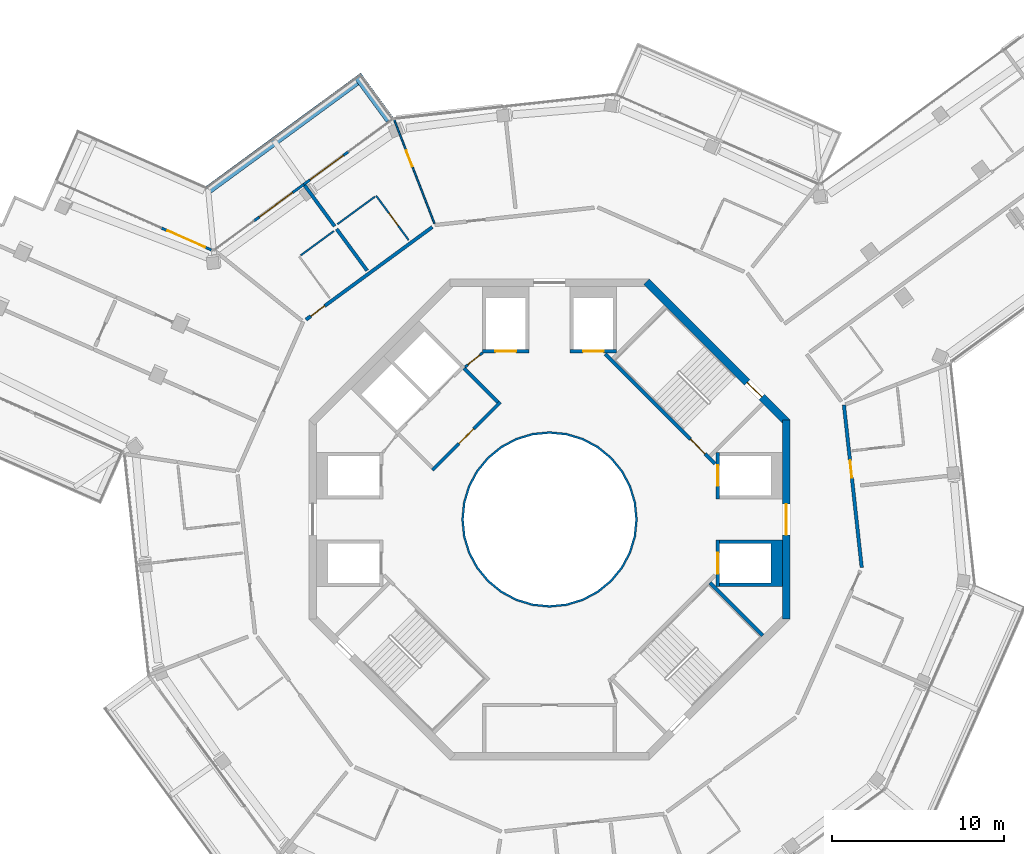
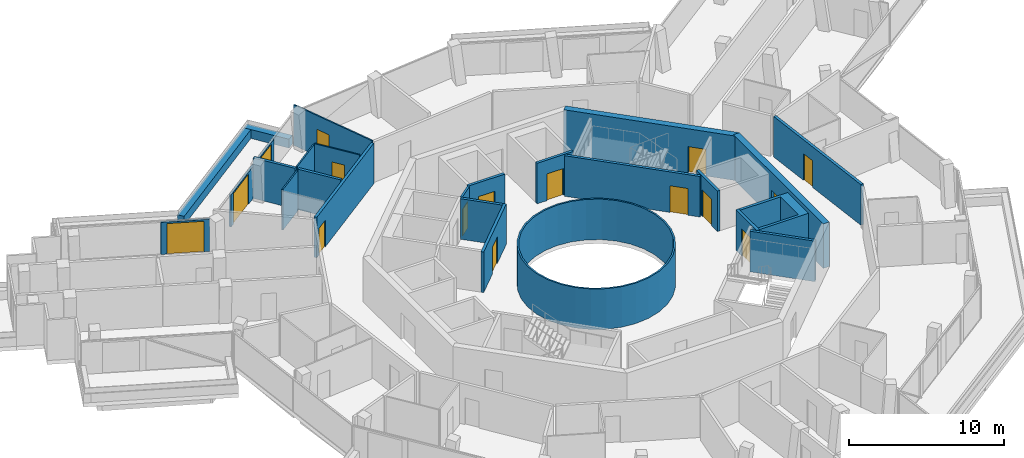
# One storey, part 19 of 24: 26 walls, 16 doors, 16 openings.
"""IFC4 building model written with IfcOpenShell, lengths in metres."""

from ifc_helpers import new_model, si_unit, direction, frame, frame_2d, origin, place, context, subcontext, project, spatial, polyline, rectangle, outline, extrude, material, layer, layer_set, type_object, element, fill, save


model = new_model("IFC4")

# Units and contexts
model_context = context("Model", 3, precision=1e-05, world=origin(), true_north=direction((0.0, 1.0)))
body_context = subcontext(model_context, "Body", "Model", "MODEL_VIEW")
ifc_project = project(units=[si_unit("LENGTHUNIT", "METRE"), si_unit("AREAUNIT", "SQUARE_METRE"), si_unit("VOLUMEUNIT", "CUBIC_METRE"), si_unit("PLANEANGLEUNIT", "RADIAN"), si_unit("MASSUNIT", "GRAM", prefix="KILO")], contexts=[model_context])

# Site, building, storey
site_placement = place(None, origin())
site = spatial("IfcSite", under=ifc_project, at=site_placement, CompositionType="ELEMENT")
building_placement = place(site_placement, origin())
building = spatial("IfcBuilding", under=site, at=building_placement, Name="Verdalira Terraces Hotel", CompositionType="ELEMENT")
storey_placement = place(building_placement, frame((0.0, 0.0, 303.0)))
storey = spatial("IfcBuildingStorey", under=building, at=storey_placement, Name="L75", CompositionType="ELEMENT", Elevation=303.0)

# Walls
ifc_material_1 = material(Name="Fire-resisting glass EI 180", Category="glass")
ifc_layer_1 = layer(ifc_material_1, 0.1201171875)
ifc_layer_set_1 = layer_set([ifc_layer_1], Name="Atrium fire screen 120 mm")
wall_type_1 = type_object("IfcWallType", Name="Atrium fire screen 120 mm", PredefinedType="SOLIDWALL", material=ifc_layer_set_1)
wall_1_placement = place(storey_placement, origin())
element("IfcWall", 1, at=wall_1_placement, inside=storey, type_object=wall_type_1, Name="Atrium fire screen", PredefinedType="SOLIDWALL", context=body_context, shape_type="SweptSolid", body=[
    extrude(outline(polyline([(5.021484, -0.998779), (4.730225, -1.959229), (4.25708, -2.844482), (3.620361, -3.620361), (2.844482, -4.25708), (1.959229, -4.730225), (0.998779, -5.021484), (0.0, -5.120117), (-0.998779, -5.021484), (-1.959229, -4.730225), (-2.844482, -4.25708), (-3.620361, -3.620361), (-4.25708, -2.844482), (-4.730225, -1.959229), (-5.021484, -0.998779), (-5.120117, 0.0), (-5.021484, 0.998779), (-4.730225, 1.959229), (-4.25708, 2.844482), (-3.620361, 3.620361), (-2.844482, 4.25708), (-1.959229, 4.730225), (-0.998779, 5.021484), (0.0, 5.120117), (0.998779, 5.021484), (1.959229, 4.730225), (2.844482, 4.25708), (3.620361, 3.620361), (4.25708, 2.844482), (4.730225, 1.959229), (5.021484, 0.998779), (5.120117, 0.0), (5.021484, -0.998779)]), holes=[polyline([(4.903809, 0.975586), (4.619385, 1.91333), (4.157227, 2.777832), (3.5354, 3.5354), (2.777832, 4.157227), (1.91333, 4.619385), (0.975586, 4.903809), (0.0, 5.0), (-0.975586, 4.903809), (-1.91333, 4.619385), (-2.777832, 4.157227), (-3.5354, 3.5354), (-4.157227, 2.777832), (-4.619385, 1.91333), (-4.903809, 0.975586), (-5.0, 0.0), (-4.903809, -0.975586), (-4.619385, -1.91333), (-4.157227, -2.777832), (-3.5354, -3.5354), (-2.777832, -4.157227), (-1.91333, -4.619385), (-0.975586, -4.903809), (0.0, -5.0), (0.975586, -4.903809), (1.91333, -4.619385), (2.777832, -4.157227), (3.5354, -3.5354), (4.157227, -2.777832), (4.619385, -1.91333), (4.903809, -0.975586), (5.0, 0.0), (4.903809, 0.975586)])]), origin(), (0.0, 0.0, 1.0), 3.189941),
])
ifc_material_2 = material(Name="Concrete C40", Category="concrete")
ifc_layer_2 = layer(ifc_material_2, 0.5)
ifc_layer_set_2 = layer_set([ifc_layer_2], Name="Balcony planter trough with tree")
wall_type_2 = type_object("IfcWallType", Name="Balcony planter trough with tree", PredefinedType="SOLIDWALL", material=ifc_layer_set_2)
wall_2_placement = place(storey_placement, frame((-9.300537, 23.26123, 0.0), z_axis=(0.0, 0.0, 1.0), x_axis=(-0.591171745, 0.806545701, 0.0)))
element("IfcWall", 2, at=wall_2_placement, inside=storey, type_object=wall_type_2, Name="Balcony planter", PredefinedType="SOLIDWALL", context=body_context, shape_type="SweptSolid", body=[
    extrude(rectangle(XDim=3.198975, YDim=0.5, at=frame_2d((1.599609, 0.0))), origin(), (0.0, 0.0, 1.0), 0.699951),
])
wall_3_placement = place(storey_placement, frame((-11.245361, 25.491943, 0.0), z_axis=(0.0, 0.0, 1.0), x_axis=(-0.806541226, -0.591177851, 0.0)))
element("IfcWall", 3, at=wall_3_placement, inside=storey, type_object=wall_type_2, Name="Balcony planter", PredefinedType="SOLIDWALL", context=body_context, shape_type="SweptSolid", body=[
    extrude(rectangle(XDim=10.652588, YDim=0.5, at=frame_2d((5.326172, 0.0))), origin(), (0.0, 0.0, 1.0), 0.699951),
])
ifc_material_3 = material(Name="Moisture-resistant gypsum board partition")
ifc_layer_3 = layer(ifc_material_3, 0.10009765625)
ifc_layer_set_3 = layer_set([ifc_layer_3], Name="Bathroom partition 100 mm")
wall_type_3 = type_object("IfcWallType", Name="Bathroom partition 100 mm", PredefinedType="PARTITIONING", material=ifc_layer_set_3)
wall_4_placement = place(storey_placement, frame((-14.486816, 15.366943, 0.0), z_axis=(0.0, 0.0, 1.0), x_axis=(0.806544049, 0.591173999, 0.0)))
element("IfcWall", 4, at=wall_4_placement, inside=storey, type_object=wall_type_3, Name="Bathroom partition", PredefinedType="PARTITIONING", context=body_context, shape_type="SweptSolid", body=[
    extrude(rectangle(XDim=2.399902, YDim=0.100098, at=frame_2d((1.199951, 0.0))), origin(), (0.0, 0.0, 1.0), 3.189941),
])
wall_5_placement = place(storey_placement, frame((-10.169189, 18.779541, 0.0), z_axis=(0.0, 0.0, 1.0), x_axis=(-0.8065171, -0.591210764, 0.0)))
element("IfcWall", 5, at=wall_5_placement, inside=storey, type_object=wall_type_3, Name="Bathroom partition", PredefinedType="PARTITIONING", context=body_context, shape_type="SweptSolid", body=[
    extrude(rectangle(XDim=2.699951, YDim=0.100098, at=frame_2d((1.350098, 0.0))), origin(), (0.0, 0.0, 1.0), 3.189941),
])

# Wall, opening, door
wall_6_placement = place(storey_placement, frame((-8.196777, 16.257812, 0.0), z_axis=(0.0, 0.0, 1.0), x_axis=(-0.591161873, 0.806552937, 0.0)))
wall_6 = element("IfcWall", 6, at=wall_6_placement, inside=storey, type_object=wall_type_3, Name="Bathroom partition", PredefinedType="PARTITIONING", context=body_context, shape_type="SweptSolid", body=[
    extrude(rectangle(XDim=3.199707, YDim=0.100098, at=frame_2d((1.599854, 0.0))), origin(), (0.0, 0.0, 1.0), 3.189941),
])
opening_1_placement = place(wall_6_placement, frame((1.050049, 0.0, 0.0)))
opening_1 = element("IfcOpeningElement", 7, at=opening_1_placement, cuts=wall_6, Name="Opening L75-131", PredefinedType="OPENING", context=body_context, shape_type="SweptSolid", body=[
    extrude(rectangle(XDim=0.899902, YDim=2.100098, at=frame_2d((0.449951, 1.050049))), frame((0.0, 0.060059, 0.0), z_axis=(0.0, -1.0, 0.0), x_axis=(1.0, 0.0, 0.0)), (0.0, 0.0, 1.0), 0.120117),
])
ifc_material_4 = material(Name="Timber door", Category="wood")
door_type_1 = type_object("IfcDoorType", Name="Bathroom door 900 x 2100", OperationType="NOTDEFINED", PredefinedType="DOOR", material=ifc_material_4)
door_1_placement = place(opening_1_placement, origin())
door_1 = element("IfcDoor", 8, at=door_1_placement, inside=storey, type_object=door_type_1, Name="Bathroom door 7512", OperationType="SINGLE_SWING_RIGHT", OverallHeight=2.10009765625, OverallWidth=0.89990234375, PredefinedType="DOOR", context=body_context, shape_type="SweptSolid", body=[
    extrude(rectangle(XDim=0.899902, YDim=2.100098, at=frame_2d((0.449951, 1.050049))), frame((0.0, 0.024902, 0.0), z_axis=(0.0, -1.0, 0.0), x_axis=(1.0, 0.0, 0.0)), (0.0, 0.0, 1.0), 0.050049),
])
fill(opening_1, door_1)

wall_7_placement = place(storey_placement, frame((-6.697998, 17.232422, 0.0), z_axis=(0.0, 0.0, 1.0), x_axis=(-0.36226614, 0.932074699, 0.0)))
wall_7 = element("IfcWall", 9, at=wall_7_placement, inside=storey, type_object=wall_type_3, Name="Bathroom partition", PredefinedType="PARTITIONING", context=body_context, shape_type="SweptSolid", body=[
    extrude(rectangle(XDim=6.47583, YDim=0.100098, at=frame_2d((3.237793, 0.0))), origin(), (0.0, 0.0, 1.0), 3.189941),
])
opening_2_placement = place(wall_7_placement, frame((3.550049, 0.0, 0.0)))
opening_2 = element("IfcOpeningElement", 10, at=opening_2_placement, cuts=wall_7, Name="Opening L75-130", PredefinedType="OPENING", context=body_context, shape_type="SweptSolid", body=[
    extrude(rectangle(XDim=1.0, YDim=2.100098, at=frame_2d((0.5, 1.050049))), frame((0.0, 0.060059, 0.0), z_axis=(0.0, -1.0, 0.0), x_axis=(1.0, 0.0, 0.0)), (0.0, 0.0, 1.0), 0.120117),
])
ifc_material_5 = material(Name="Timber door", Category="wood")
door_type_2 = type_object("IfcDoorType", Name="Suite internal door 1000 x 2100", OperationType="NOTDEFINED", PredefinedType="DOOR", material=ifc_material_5)
door_2_placement = place(opening_2_placement, origin())
door_2 = element("IfcDoor", 11, at=door_2_placement, inside=storey, type_object=door_type_2, Name="Suite internal door 7512", OperationType="SINGLE_SWING_LEFT", OverallHeight=2.10009765625, OverallWidth=1.0, PredefinedType="DOOR", context=body_context, shape_type="SweptSolid", body=[
    extrude(rectangle(XDim=1.0, YDim=2.100098, at=frame_2d((0.5, 1.050049))), frame((0.0, 0.024902, 0.0), z_axis=(0.0, -1.0, 0.0), x_axis=(1.0, 0.0, 0.0)), (0.0, 0.0, 1.0), 0.050049),
])
fill(opening_2, door_2)

# Wall
ifc_material_6 = material(Name="Concrete C50", Category="concrete")
ifc_layer_4 = layer(ifc_material_6, 0.199951171875)
ifc_layer_set_4 = layer_set([ifc_layer_4], Name="Core RC wall 200 C50")
wall_type_4 = type_object("IfcWallType", Name="Core RC wall 200 C50", PredefinedType="SOLIDWALL", material=ifc_layer_set_4)
wall_8_placement = place(storey_placement, origin())
element("IfcWall", 12, at=wall_8_placement, inside=storey, type_object=wall_type_4, Name="L75 shaft wall E1", PredefinedType="SOLIDWALL", context=body_context, shape_type="SweptSolid", body=[
    extrude(outline(polyline([(13.550049, -3.899902), (9.899902, -3.899902), (9.899902, -3.699951), (12.899902, -3.699951), (12.899902, -1.399902), (9.899902, -1.399902), (9.899902, -1.199951), (13.550049, -1.199951), (13.550049, -3.899902)])), origin(), (0.0, 0.0, 1.0), 3.189941),
])

# Wall, opening, door
wall_9_placement = place(storey_placement, frame((9.800049, -1.199951, 0.0), z_axis=(0.0, 0.0, 1.0), x_axis=(0.0, -1.0, 0.0)))
wall_9 = element("IfcWall", 13, at=wall_9_placement, inside=storey, type_object=wall_type_4, Name="L75 shaft front wall E1", PredefinedType="SOLIDWALL", context=body_context, shape_type="SweptSolid", body=[
    extrude(rectangle(XDim=2.699951, YDim=0.199951, at=frame_2d((1.350098, 0.0))), origin(), (0.0, 0.0, 1.0), 3.189941),
])
opening_3_placement = place(wall_9_placement, frame((0.75, 0.0, 0.0)))
opening_3 = element("IfcOpeningElement", 14, at=opening_3_placement, cuts=wall_9, Name="Opening LD-L75-802", PredefinedType="OPENING", context=body_context, shape_type="SweptSolid", body=[
    extrude(rectangle(XDim=1.199951, YDim=2.100098, at=frame_2d((0.600098, 1.050049))), frame((0.0, 0.109863, 0.0), z_axis=(0.0, -1.0, 0.0), x_axis=(1.0, 0.0, 0.0)), (0.0, 0.0, 1.0), 0.219971),
])
ifc_material_7 = material(Name="Stainless steel", Category="steel")
door_type_3 = type_object("IfcDoorType", Name="Landing door 1200 x 2100", OperationType="NOTDEFINED", PredefinedType="DOOR", material=ifc_material_7)
door_3_placement = place(opening_3_placement, origin())
door_3 = element("IfcDoor", 15, at=door_3_placement, inside=storey, type_object=door_type_3, Name="Lift landing door HR1 L75", OperationType="DOUBLE_DOOR_SLIDING", OverallHeight=2.10009765625, OverallWidth=1.199951171875, PredefinedType="DOOR", context=body_context, shape_type="SweptSolid", body=[
    extrude(rectangle(XDim=1.199951, YDim=2.100098, at=frame_2d((0.600098, 1.050049))), frame((0.0, 0.024902, 0.0), z_axis=(0.0, -1.0, 0.0), x_axis=(1.0, 0.0, 0.0)), (0.0, 0.0, 1.0), 0.050049),
])
fill(opening_3, door_3)

wall_10_placement = place(storey_placement, frame((9.800049, 1.199951, 0.0), z_axis=(0.0, 0.0, 1.0), x_axis=(0.0, 1.0, 0.0)))
wall_10 = element("IfcWall", 16, at=wall_10_placement, inside=storey, type_object=wall_type_4, Name="L75 shaft front wall E2", PredefinedType="SOLIDWALL", context=body_context, shape_type="SweptSolid", body=[
    extrude(rectangle(XDim=2.699951, YDim=0.199951, at=frame_2d((1.350098, 0.0))), origin(), (0.0, 0.0, 1.0), 3.189941),
])
opening_4_placement = place(wall_10_placement, frame((0.75, 0.0, 0.0)))
opening_4 = element("IfcOpeningElement", 17, at=opening_4_placement, cuts=wall_10, Name="Opening LD-L75-803", PredefinedType="OPENING", context=body_context, shape_type="SweptSolid", body=[
    extrude(rectangle(XDim=1.199951, YDim=2.100098, at=frame_2d((0.600098, 1.050049))), frame((0.0, 0.109863, 0.0), z_axis=(0.0, -1.0, 0.0), x_axis=(1.0, 0.0, 0.0)), (0.0, 0.0, 1.0), 0.219971),
])
door_4_placement = place(opening_4_placement, origin())
door_4 = element("IfcDoor", 18, at=door_4_placement, inside=storey, type_object=door_type_3, Name="Lift landing door HR2 L75", OperationType="DOUBLE_DOOR_SLIDING", OverallHeight=2.10009765625, OverallWidth=1.199951171875, PredefinedType="DOOR", context=body_context, shape_type="SweptSolid", body=[
    extrude(rectangle(XDim=1.199951, YDim=2.100098, at=frame_2d((0.600098, 1.050049))), frame((0.0, 0.024902, 0.0), z_axis=(0.0, -1.0, 0.0), x_axis=(1.0, 0.0, 0.0)), (0.0, 0.0, 1.0), 0.050049),
])
fill(opening_4, door_4)

wall_11_placement = place(storey_placement, frame((1.199951, 9.800049, 0.0), z_axis=(0.0, 0.0, 1.0), x_axis=(1.0, 0.0, 0.0)))
wall_11 = element("IfcWall", 19, at=wall_11_placement, inside=storey, type_object=wall_type_4, Name="L75 shaft front wall N1", PredefinedType="SOLIDWALL", context=body_context, shape_type="SweptSolid", body=[
    extrude(rectangle(XDim=2.699951, YDim=0.199951, at=frame_2d((1.350098, 0.0))), origin(), (0.0, 0.0, 1.0), 3.189941),
])
opening_5_placement = place(wall_11_placement, frame((0.75, 0.0, 0.0)))
opening_5 = element("IfcOpeningElement", 20, at=opening_5_placement, cuts=wall_11, Name="Opening LD-L75-804", PredefinedType="OPENING", context=body_context, shape_type="SweptSolid", body=[
    extrude(rectangle(XDim=1.199951, YDim=2.100098, at=frame_2d((0.600098, 1.050049))), frame((0.0, 0.109863, 0.0), z_axis=(0.0, -1.0, 0.0), x_axis=(1.0, 0.0, 0.0)), (0.0, 0.0, 1.0), 0.219971),
])
door_5_placement = place(opening_5_placement, origin())
door_5 = element("IfcDoor", 21, at=door_5_placement, inside=storey, type_object=door_type_3, Name="Lift landing door HR3 L75", OperationType="DOUBLE_DOOR_SLIDING", OverallHeight=2.10009765625, OverallWidth=1.199951171875, PredefinedType="DOOR", context=body_context, shape_type="SweptSolid", body=[
    extrude(rectangle(XDim=1.199951, YDim=2.100098, at=frame_2d((0.600098, 1.050049))), frame((0.0, 0.024902, 0.0), z_axis=(0.0, -1.0, 0.0), x_axis=(1.0, 0.0, 0.0)), (0.0, 0.0, 1.0), 0.050049),
])
fill(opening_5, door_5)

wall_12_placement = place(storey_placement, frame((-1.199951, 9.800049, 0.0), z_axis=(0.0, 0.0, 1.0), x_axis=(-1.0, 0.0, 0.0)))
wall_12 = element("IfcWall", 22, at=wall_12_placement, inside=storey, type_object=wall_type_4, Name="L75 shaft front wall N2", PredefinedType="SOLIDWALL", context=body_context, shape_type="SweptSolid", body=[
    extrude(rectangle(XDim=2.699951, YDim=0.199951, at=frame_2d((1.350098, 0.0))), origin(), (0.0, 0.0, 1.0), 3.189941),
])
opening_6_placement = place(wall_12_placement, frame((0.75, 0.0, 0.0)))
opening_6 = element("IfcOpeningElement", 23, at=opening_6_placement, cuts=wall_12, Name="Opening LD-L75-805", PredefinedType="OPENING", context=body_context, shape_type="SweptSolid", body=[
    extrude(rectangle(XDim=1.199951, YDim=2.100098, at=frame_2d((0.600098, 1.050049))), frame((0.0, 0.109863, 0.0), z_axis=(0.0, -1.0, 0.0), x_axis=(1.0, 0.0, 0.0)), (0.0, 0.0, 1.0), 0.219971),
])
door_6_placement = place(opening_6_placement, origin())
door_6 = element("IfcDoor", 24, at=door_6_placement, inside=storey, type_object=door_type_3, Name="Lift landing door HR4 L75", OperationType="DOUBLE_DOOR_SLIDING", OverallHeight=2.10009765625, OverallWidth=1.199951171875, PredefinedType="DOOR", context=body_context, shape_type="SweptSolid", body=[
    extrude(rectangle(XDim=1.199951, YDim=2.100098, at=frame_2d((0.600098, 1.050049))), frame((0.0, 0.024902, 0.0), z_axis=(0.0, -1.0, 0.0), x_axis=(1.0, 0.0, 0.0)), (0.0, 0.0, 1.0), 0.050049),
])
fill(opening_6, door_6)

wall_13_placement = place(storey_placement, frame((3.23999, 9.629395, 0.0), z_axis=(0.0, 0.0, 1.0), x_axis=(0.707106781, -0.707106781, 0.0)))
wall_13 = element("IfcWall", 25, at=wall_13_placement, inside=storey, type_object=wall_type_4, Name="L75 stair ST1 front wall", PredefinedType="SOLIDWALL", context=body_context, shape_type="SweptSolid", body=[
    extrude(rectangle(XDim=9.035889, YDim=0.199951, at=frame_2d((4.518066, 0.0))), origin(), (0.0, 0.0, 1.0), 3.189941),
])
opening_7_placement = place(wall_13_placement, frame((7.017822, 0.0, 0.0)))
opening_7 = element("IfcOpeningElement", 26, at=opening_7_placement, cuts=wall_13, Name="Opening L75-810", PredefinedType="OPENING", context=body_context, shape_type="SweptSolid", body=[
    extrude(rectangle(XDim=1.199951, YDim=2.100098, at=frame_2d((0.600098, 1.050049))), frame((0.0, 0.109863, 0.0), z_axis=(0.0, -1.0, 0.0), x_axis=(1.0, 0.0, 0.0)), (0.0, 0.0, 1.0), 0.219971),
])
ifc_material_8 = material(Name="Steel fire door", Category="steel")
door_type_4 = type_object("IfcDoorType", Name="Stair door 1200 x 2100", OperationType="NOTDEFINED", PredefinedType="DOOR", material=ifc_material_8)
door_7_placement = place(opening_7_placement, origin())
door_7 = element("IfcDoor", 27, at=door_7_placement, inside=storey, type_object=door_type_4, Name="Stair door ST1 L75", OperationType="SINGLE_SWING_RIGHT", OverallHeight=2.10009765625, OverallWidth=1.199951171875, PredefinedType="DOOR", context=body_context, shape_type="SweptSolid", body=[
    extrude(rectangle(XDim=1.199951, YDim=2.100098, at=frame_2d((0.600098, 1.050049))), frame((0.0, 0.024902, 0.0), z_axis=(0.0, -1.0, 0.0), x_axis=(1.0, 0.0, 0.0)), (0.0, 0.0, 1.0), 0.050049),
])
fill(opening_7, door_7)

# Wall
wall_14_placement = place(storey_placement, frame((9.33374, -3.677002, 0.0), z_axis=(0.0, 0.0, 1.0), x_axis=(0.707106781, -0.707106781, 0.0)))
element("IfcWall", 28, at=wall_14_placement, inside=storey, type_object=wall_type_4, Name="L75 stair ST3 end wall 2", PredefinedType="SOLIDWALL", context=body_context, shape_type="SweptSolid", body=[
    extrude(rectangle(XDim=4.350098, YDim=0.199951, at=frame_2d((2.175049, 0.0))), origin(), (0.0, 0.0, 1.0), 3.189941),
])

# Wall, opening, door
wall_15_placement = place(storey_placement, frame((-2.86377, 6.823486, 0.0), z_axis=(0.0, 0.0, 1.0), x_axis=(-0.707106781, -0.707106781, 0.0)))
wall_15 = element("IfcWall", 29, at=wall_15_placement, inside=storey, type_object=wall_type_4, Name="L75 fire lobby wall", PredefinedType="SOLIDWALL", context=body_context, shape_type="SweptSolid", body=[
    extrude(rectangle(XDim=5.599854, YDim=0.199951, at=frame_2d((2.799805, 0.0))), origin(), (0.0, 0.0, 1.0), 3.189941),
])
opening_8_placement = place(wall_15_placement, frame((2.199951, 0.0, 0.0)))
opening_8 = element("IfcOpeningElement", 30, at=opening_8_placement, cuts=wall_15, Name="Opening L75-819", PredefinedType="OPENING", context=body_context, shape_type="SweptSolid", body=[
    extrude(rectangle(XDim=1.199951, YDim=2.100098, at=frame_2d((0.600098, 1.050049))), frame((0.0, 0.109863, 0.0), z_axis=(0.0, -1.0, 0.0), x_axis=(1.0, 0.0, 0.0)), (0.0, 0.0, 1.0), 0.219971),
])
ifc_material_9 = material(Name="Steel fire door", Category="steel")
door_type_5 = type_object("IfcDoorType", Name="Lobby door 1200 x 2100", OperationType="NOTDEFINED", PredefinedType="DOOR", material=ifc_material_9)
door_8_placement = place(opening_8_placement, origin())
door_8 = element("IfcDoor", 31, at=door_8_placement, inside=storey, type_object=door_type_5, Name="Fire lobby door L75", OperationType="SINGLE_SWING_LEFT", OverallHeight=2.10009765625, OverallWidth=1.199951171875, PredefinedType="DOOR", context=body_context, shape_type="SweptSolid", body=[
    extrude(rectangle(XDim=1.199951, YDim=2.100098, at=frame_2d((0.600098, 1.050049))), frame((0.0, 0.024902, 0.0), z_axis=(0.0, -1.0, 0.0), x_axis=(1.0, 0.0, 0.0)), (0.0, 0.0, 1.0), 0.050049),
])
fill(opening_8, door_8)

# Wall
wall_16_placement = place(storey_placement, frame((-3.005127, 6.823486, 0.0), z_axis=(0.0, 0.0, 1.0), x_axis=(-0.707106781, 0.707106781, 0.0)))
element("IfcWall", 32, at=wall_16_placement, inside=storey, type_object=wall_type_4, Name="L75 fire lobby wall", PredefinedType="SOLIDWALL", context=body_context, shape_type="SweptSolid", body=[
    extrude(rectangle(XDim=2.800049, YDim=0.199951, at=frame_2d((1.399902, 0.0))), origin(), (0.0, 0.0, 1.0), 3.189941),
])

# Wall, opening, door
ifc_material_10 = material(Name="Gypsum board partition")
ifc_layer_5 = layer(ifc_material_10, 0.14990234375)
ifc_layer_set_5 = layer_set([ifc_layer_5], Name="Core partition 150 mm")
wall_type_5 = type_object("IfcWallType", Name="Core partition 150 mm", PredefinedType="PARTITIONING", material=ifc_layer_set_5)
wall_17_placement = place(storey_placement, frame((-3.899902, 9.699951, 0.0), z_axis=(0.0, 0.0, 1.0), x_axis=(-0.775559878, -0.631274009, 0.0)))
wall_17 = element("IfcWall", 33, at=wall_17_placement, inside=storey, type_object=wall_type_5, Name="Room partition L75", PredefinedType="PARTITIONING", context=body_context, shape_type="SweptSolid", body=[
    extrude(rectangle(XDim=1.307861, YDim=0.149902, at=frame_2d((0.653809, 0.0))), origin(), (0.0, 0.0, 1.0), 3.189941),
])
opening_9_placement = place(wall_17_placement, frame((0.204102, 0.0, 0.0)))
opening_9 = element("IfcOpeningElement", 34, at=opening_9_placement, cuts=wall_17, Name="Opening L75-820", PredefinedType="OPENING", context=body_context, shape_type="SweptSolid", body=[
    extrude(rectangle(XDim=0.899902, YDim=2.100098, at=frame_2d((0.449951, 1.050049))), frame((0.0, 0.084961, 0.0), z_axis=(0.0, -1.0, 0.0), x_axis=(1.0, 0.0, 0.0)), (0.0, 0.0, 1.0), 0.169922),
])
ifc_material_11 = material(Name="Steel fire door", Category="steel")
door_type_6 = type_object("IfcDoorType", Name="Core room door 900 x 2100", OperationType="NOTDEFINED", PredefinedType="DOOR", material=ifc_material_11)
door_9_placement = place(opening_9_placement, origin())
door_9 = element("IfcDoor", 35, at=door_9_placement, inside=storey, type_object=door_type_6, Name="Door L75 room2", OperationType="SINGLE_SWING_LEFT", OverallHeight=2.10009765625, OverallWidth=0.89990234375, PredefinedType="DOOR", context=body_context, shape_type="SweptSolid", body=[
    extrude(rectangle(XDim=0.899902, YDim=2.100098, at=frame_2d((0.449951, 1.050049))), frame((0.0, 0.024902, 0.0), z_axis=(0.0, -1.0, 0.0), x_axis=(1.0, 0.0, 0.0)), (0.0, 0.0, 1.0), 0.050049),
])
fill(opening_9, door_9)

ifc_material_12 = material(Name="Concrete C50", Category="concrete")
ifc_layer_6 = layer(ifc_material_12, 0.449951171875)
ifc_layer_set_6 = layer_set([ifc_layer_6], Name="Core wall 450 C50")
wall_type_6 = type_object("IfcWallType", Name="Core wall 450 C50", PredefinedType="SHEAR", material=ifc_layer_set_6)
wall_18_placement = place(storey_placement, frame((13.774902, -5.799072, 0.0), z_axis=(0.0, 0.0, 1.0), x_axis=(0.0, 1.0, 0.0)))
wall_18 = element("IfcWall", 36, at=wall_18_placement, inside=storey, type_object=wall_type_6, Name="Core wall CW-L75-1", PredefinedType="SHEAR", context=body_context, shape_type="SweptSolid", body=[
    extrude(rectangle(XDim=11.598145, YDim=0.449951, at=frame_2d((5.799072, 0.0))), origin(), (0.0, 0.0, 1.0), 3.5),
])
opening_10_placement = place(wall_18_placement, frame((4.898926, 0.0, 0.0)))
opening_10 = element("IfcOpeningElement", 37, at=opening_10_placement, cuts=wall_18, Name="Opening L75-813", PredefinedType="OPENING", context=body_context, shape_type="SweptSolid", body=[
    extrude(rectangle(XDim=1.800049, YDim=2.100098, at=frame_2d((0.899902, 1.050049))), frame((0.0, 0.234863, 0.0), z_axis=(0.0, -1.0, 0.0), x_axis=(1.0, 0.0, 0.0)), (0.0, 0.0, 1.0), 0.469971),
])
ifc_material_13 = material(Name="Steel fire door", Category="steel")
door_type_7 = type_object("IfcDoorType", Name="Core entry door pair 1800 x 2100", OperationType="NOTDEFINED", PredefinedType="DOOR", material=ifc_material_13)
door_10_placement = place(opening_10_placement, origin())
door_10 = element("IfcDoor", 38, at=door_10_placement, inside=storey, type_object=door_type_7, Name="Core entry door L75 0", OperationType="DOUBLE_DOOR_SINGLE_SWING", OverallHeight=2.10009765625, OverallWidth=1.800048828125, PredefinedType="DOOR", context=body_context, shape_type="SweptSolid", body=[
    extrude(rectangle(XDim=1.800049, YDim=2.100098, at=frame_2d((0.899902, 1.050049))), frame((0.0, 0.024902, 0.0), z_axis=(0.0, -1.0, 0.0), x_axis=(1.0, 0.0, 0.0)), (0.0, 0.0, 1.0), 0.050049),
])
fill(opening_10, door_10)

wall_19_placement = place(storey_placement, frame((13.84082, 5.639893, 0.0), z_axis=(0.0, 0.0, 1.0), x_axis=(-0.707106781, 0.707106781, 0.0)))
wall_19 = element("IfcWall", 39, at=wall_19_placement, inside=storey, type_object=wall_type_6, Name="Core wall CW-L75-2", PredefinedType="SHEAR", context=body_context, shape_type="SweptSolid", body=[
    extrude(rectangle(XDim=11.5979, YDim=0.449951, at=frame_2d((5.798828, 0.0))), origin(), (0.0, 0.0, 1.0), 3.5),
])
opening_11_placement = place(wall_19_placement, frame((2.099121, 0.0, 0.0)))
opening_11 = element("IfcOpeningElement", 40, at=opening_11_placement, cuts=wall_19, Name="Opening L75-816", PredefinedType="OPENING", context=body_context, shape_type="SweptSolid", body=[
    extrude(rectangle(XDim=1.199951, YDim=2.100098, at=frame_2d((0.600098, 1.050049))), frame((0.0, 0.234863, 0.0), z_axis=(0.0, -1.0, 0.0), x_axis=(1.0, 0.0, 0.0)), (0.0, 0.0, 1.0), 0.469971),
])
door_11_placement = place(opening_11_placement, origin())
door_11 = element("IfcDoor", 41, at=door_11_placement, inside=storey, type_object=door_type_4, Name="Stair exit door ST1 L75", OperationType="SINGLE_SWING_LEFT", OverallHeight=2.10009765625, OverallWidth=1.199951171875, PredefinedType="DOOR", context=body_context, shape_type="SweptSolid", body=[
    extrude(rectangle(XDim=1.199951, YDim=2.100098, at=frame_2d((0.600098, 1.050049))), frame((0.0, 0.024902, 0.0), z_axis=(0.0, -1.0, 0.0), x_axis=(1.0, 0.0, 0.0)), (0.0, 0.0, 1.0), 0.050049),
])
fill(opening_11, door_11)

# Walls
ifc_material_14 = material(Name="Fire-rated gypsum board wall")
ifc_layer_7 = layer(ifc_material_14, 0.199951171875)
ifc_layer_set_7 = layer_set([ifc_layer_7], Name="Demising wall 200 mm")
wall_type_7 = type_object("IfcWallType", Name="Demising wall 200 mm", PredefinedType="SOLIDWALL", material=ifc_layer_set_7)
wall_20_placement = place(storey_placement, frame((-12.508057, 17.065186, 0.0), z_axis=(0.0, 0.0, 1.0), x_axis=(-0.59119862, 0.806526002, 0.0)))
element("IfcWall", 42, at=wall_20_placement, inside=storey, type_object=wall_type_7, Name="Demising wall", PredefinedType="SOLIDWALL", context=body_context, shape_type="SweptSolid", body=[
    extrude(rectangle(XDim=2.950195, YDim=0.199951, at=frame_2d((1.475098, 0.0))), origin(), (0.0, 0.0, 1.0), 3.189941),
])
wall_21_placement = place(storey_placement, frame((-10.616455, 14.484375, 0.0), z_axis=(0.0, 0.0, 1.0), x_axis=(-0.591180306, 0.806539426, 0.0)))
element("IfcWall", 43, at=wall_21_placement, inside=storey, type_object=wall_type_7, Name="Demising wall", PredefinedType="SOLIDWALL", context=body_context, shape_type="SweptSolid", body=[
    extrude(rectangle(XDim=3.001953, YDim=0.199951, at=frame_2d((1.500977, 0.0))), origin(), (0.0, 0.0, 1.0), 3.189941),
])

# Wall, opening, door
ifc_material_15 = material(Name="Fire-rated gypsum board wall")
ifc_layer_8 = layer(ifc_material_15, 0.199951171875)
ifc_layer_set_8 = layer_set([ifc_layer_8], Name="Guest corridor wall 200 mm")
wall_type_8 = type_object("IfcWallType", Name="Guest corridor wall 200 mm", PredefinedType="SOLIDWALL", material=ifc_layer_set_8)
wall_22_placement = place(storey_placement, frame((-14.174805, 11.628174, 0.0), z_axis=(0.0, 0.0, 1.0), x_axis=(0.806552259, 0.591162797, 0.0)))
wall_22 = element("IfcWall", 44, at=wall_22_placement, inside=storey, type_object=wall_type_8, Name="Guest corridor wall", PredefinedType="SOLIDWALL", context=body_context, shape_type="SweptSolid", body=[
    extrude(rectangle(XDim=9.116699, YDim=0.199951, at=frame_2d((4.55835, 0.0))), origin(), (0.0, 0.0, 1.0), 3.189941),
])
opening_12_placement = place(wall_22_placement, frame((0.350098, 0.0, 0.0)))
opening_12 = element("IfcOpeningElement", 45, at=opening_12_placement, cuts=wall_22, Name="Opening L75-132", PredefinedType="OPENING", context=body_context, shape_type="SweptSolid", body=[
    extrude(rectangle(XDim=1.0, YDim=2.100098, at=frame_2d((0.5, 1.050049))), frame((0.0, 0.109863, 0.0), z_axis=(0.0, -1.0, 0.0), x_axis=(1.0, 0.0, 0.0)), (0.0, 0.0, 1.0), 0.219971),
])
ifc_material_16 = material(Name="Timber fire door", Category="wood")
door_type_8 = type_object("IfcDoorType", Name="Guest entry door 1000 x 2100", OperationType="NOTDEFINED", PredefinedType="DOOR", material=ifc_material_16)
door_12_placement = place(opening_12_placement, origin())
door_12 = element("IfcDoor", 46, at=door_12_placement, inside=storey, type_object=door_type_8, Name="Guest entry door 7513", OperationType="SINGLE_SWING_LEFT", OverallHeight=2.10009765625, OverallWidth=1.0, PredefinedType="DOOR", context=body_context, shape_type="SweptSolid", body=[
    extrude(rectangle(XDim=1.0, YDim=2.100098, at=frame_2d((0.5, 1.050049))), frame((0.0, 0.024902, 0.0), z_axis=(0.0, -1.0, 0.0), x_axis=(1.0, 0.0, 0.0)), (0.0, 0.0, 1.0), 0.050049),
])
fill(opening_12, door_12)

wall_23_placement = place(storey_placement, frame((17.135986, 6.6604, 0.0), z_axis=(0.0, 0.0, 1.0), x_axis=(0.108702427, -0.994074334, 0.0)))
wall_23 = element("IfcWall", 47, at=wall_23_placement, inside=storey, type_object=wall_type_8, Name="Guest corridor wall", PredefinedType="SOLIDWALL", context=body_context, shape_type="SweptSolid", body=[
    extrude(rectangle(XDim=9.516113, YDim=0.199951, at=frame_2d((4.758057, 0.0))), origin(), (0.0, 0.0, 1.0), 3.189941),
])
opening_13_placement = place(wall_23_placement, frame((3.25, 0.0, 0.0)))
opening_13 = element("IfcOpeningElement", 48, at=opening_13_placement, cuts=wall_23, Name="Opening L75-120", PredefinedType="OPENING", context=body_context, shape_type="SweptSolid", body=[
    extrude(rectangle(XDim=1.0, YDim=2.100098, at=frame_2d((0.5, 1.050049))), frame((0.0, 0.109863, 0.0), z_axis=(0.0, -1.0, 0.0), x_axis=(1.0, 0.0, 0.0)), (0.0, 0.0, 1.0), 0.219971),
])
door_13_placement = place(opening_13_placement, origin())
door_13 = element("IfcDoor", 49, at=door_13_placement, inside=storey, type_object=door_type_8, Name="Guest entry door 7508", OperationType="SINGLE_SWING_RIGHT", OverallHeight=2.10009765625, OverallWidth=1.0, PredefinedType="DOOR", context=body_context, shape_type="SweptSolid", body=[
    extrude(rectangle(XDim=1.0, YDim=2.100098, at=frame_2d((0.5, 1.050049))), frame((0.0, 0.024902, 0.0), z_axis=(0.0, -1.0, 0.0), x_axis=(1.0, 0.0, 0.0)), (0.0, 0.0, 1.0), 0.050049),
])
fill(opening_13, door_13)

ifc_material_17 = material(Name="Terracotta cladding", Category="masonry")
ifc_layer_9 = layer(ifc_material_17, 0.14990234375)
ifc_layer_set_9 = layer_set([ifc_layer_9], Name="Terracotta door pier 150")
wall_type_9 = type_object("IfcWallType", Name="Terracotta door pier 150", PredefinedType="SOLIDWALL", material=ifc_layer_set_9)
wall_24_placement = place(storey_placement, frame((-19.677734, 15.682373, 0.0), z_axis=(0.0, 0.0, 1.0), x_axis=(-0.915237391, 0.402915027, 0.0)))
wall_24 = element("IfcWall", 50, at=wall_24_placement, inside=storey, type_object=wall_type_9, Name="Terracotta door pier", PredefinedType="SOLIDWALL", context=body_context, shape_type="SweptSolid", body=[
    extrude(rectangle(XDim=3.199951, YDim=0.149902, at=frame_2d((1.600098, 0.0))), origin(), (0.0, 0.0, 1.0), 2.524902),
])
opening_14_placement = place(wall_24_placement, frame((0.399902, 0.0, 0.0)))
opening_14 = element("IfcOpeningElement", 51, at=opening_14_placement, cuts=wall_24, Name="Opening L75-B01", PredefinedType="OPENING", context=body_context, shape_type="SweptSolid", body=[
    extrude(rectangle(XDim=2.399902, YDim=2.399902, at=frame_2d((1.199951, 1.199951))), frame((0.0, 0.084961, 0.0), z_axis=(0.0, -1.0, 0.0), x_axis=(1.0, 0.0, 0.0)), (0.0, 0.0, 1.0), 0.169922),
])
ifc_material_18 = material(Name="Clear glass", Category="glass")
door_type_9 = type_object("IfcDoorType", Name="Balcony sliding door 2400x2400", OperationType="NOTDEFINED", PredefinedType="DOOR", material=ifc_material_18)
door_14_placement = place(opening_14_placement, origin())
door_14 = element("IfcDoor", 52, at=door_14_placement, inside=storey, type_object=door_type_9, Name="Balcony sliding door", OperationType="SLIDING_TO_LEFT", OverallHeight=2.39990234375, OverallWidth=2.39990234375, PredefinedType="DOOR", context=body_context, shape_type="SweptSolid", body=[
    extrude(rectangle(XDim=2.399902, YDim=2.399902, at=frame_2d((1.199951, 1.199951))), frame((0.0, 0.024902, 0.0), z_axis=(0.0, -1.0, 0.0), x_axis=(1.0, 0.0, 0.0)), (0.0, 0.0, 1.0), 0.050049),
])
fill(opening_14, door_14)

wall_25_placement = place(storey_placement, frame((-11.675049, 21.42627, 0.0), z_axis=(0.0, 0.0, 1.0), x_axis=(-0.806576916, -0.591129156, 0.0)))
wall_25 = element("IfcWall", 53, at=wall_25_placement, inside=storey, type_object=wall_type_9, Name="Terracotta door pier", PredefinedType="SOLIDWALL", context=body_context, shape_type="SweptSolid", body=[
    extrude(rectangle(XDim=3.25, YDim=0.149902, at=frame_2d((1.625, 0.0))), origin(), (0.0, 0.0, 1.0), 2.524902),
])
opening_15_placement = place(wall_25_placement, frame((0.399902, 0.0, 0.0)))
opening_15 = element("IfcOpeningElement", 54, at=opening_15_placement, cuts=wall_25, Name="Opening L75-B14", PredefinedType="OPENING", context=body_context, shape_type="SweptSolid", body=[
    extrude(rectangle(XDim=2.399902, YDim=2.399902, at=frame_2d((1.199951, 1.199951))), frame((0.0, 0.084961, 0.0), z_axis=(0.0, -1.0, 0.0), x_axis=(1.0, 0.0, 0.0)), (0.0, 0.0, 1.0), 0.169922),
])
door_15_placement = place(opening_15_placement, origin())
door_15 = element("IfcDoor", 55, at=door_15_placement, inside=storey, type_object=door_type_9, Name="Balcony sliding door", OperationType="SLIDING_TO_RIGHT", OverallHeight=2.39990234375, OverallWidth=2.39990234375, PredefinedType="DOOR", context=body_context, shape_type="SweptSolid", body=[
    extrude(rectangle(XDim=2.399902, YDim=2.399902, at=frame_2d((1.199951, 1.199951))), frame((0.0, 0.024902, 0.0), z_axis=(0.0, -1.0, 0.0), x_axis=(1.0, 0.0, 0.0)), (0.0, 0.0, 1.0), 0.050049),
])
fill(opening_15, door_15)

wall_26_placement = place(storey_placement, frame((-14.296387, 19.505127, 0.0), z_axis=(0.0, 0.0, 1.0), x_axis=(-0.80652319, -0.591202456, 0.0)))
wall_26 = element("IfcWall", 56, at=wall_26_placement, inside=storey, type_object=wall_type_9, Name="Terracotta door pier", PredefinedType="SOLIDWALL", context=body_context, shape_type="SweptSolid", body=[
    extrude(rectangle(XDim=3.611328, YDim=0.149902, at=frame_2d((1.805664, 0.0))), origin(), (0.0, 0.0, 1.0), 2.524902),
])
opening_16_placement = place(wall_26_placement, frame((0.811279, 0.0, 0.0)))
opening_16 = element("IfcOpeningElement", 57, at=opening_16_placement, cuts=wall_26, Name="Opening L75-B15", PredefinedType="OPENING", context=body_context, shape_type="SweptSolid", body=[
    extrude(rectangle(XDim=2.399902, YDim=2.399902, at=frame_2d((1.199951, 1.199951))), frame((0.0, 0.084961, 0.0), z_axis=(0.0, -1.0, 0.0), x_axis=(1.0, 0.0, 0.0)), (0.0, 0.0, 1.0), 0.169922),
])
door_16_placement = place(opening_16_placement, origin())
door_16 = element("IfcDoor", 58, at=door_16_placement, inside=storey, type_object=door_type_9, Name="Balcony sliding door", OperationType="SLIDING_TO_LEFT", OverallHeight=2.39990234375, OverallWidth=2.39990234375, PredefinedType="DOOR", context=body_context, shape_type="SweptSolid", body=[
    extrude(rectangle(XDim=2.399902, YDim=2.399902, at=frame_2d((1.199951, 1.199951))), frame((0.0, 0.024902, 0.0), z_axis=(0.0, -1.0, 0.0), x_axis=(1.0, 0.0, 0.0)), (0.0, 0.0, 1.0), 0.050049),
])
fill(opening_16, door_16)

save(model, "model.ifc")
